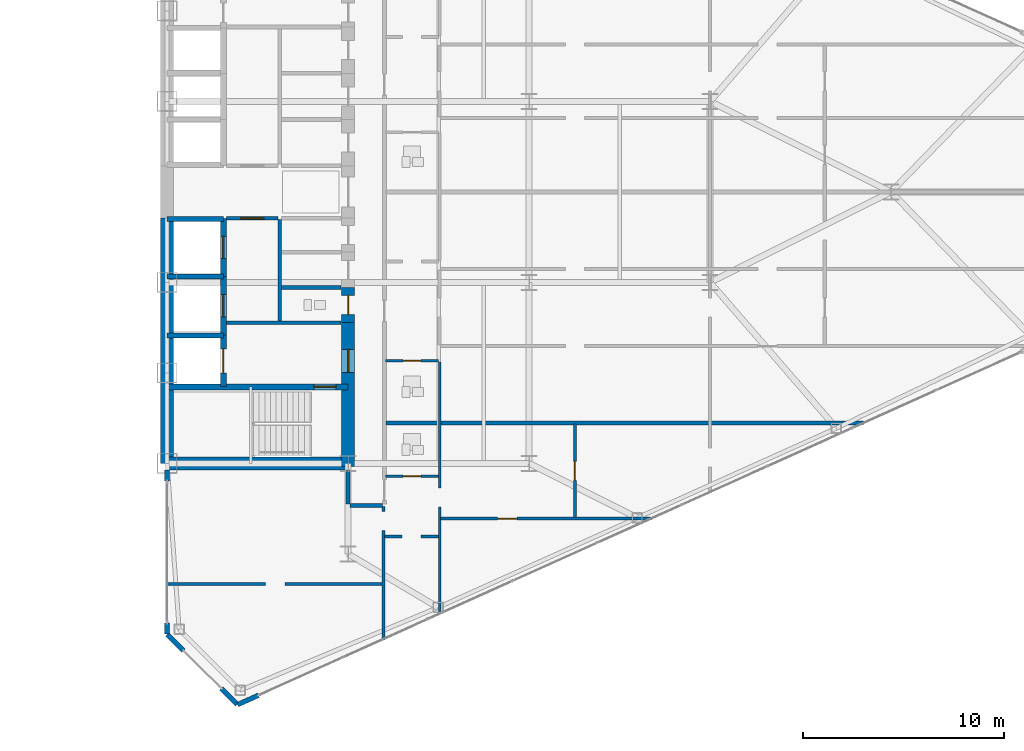
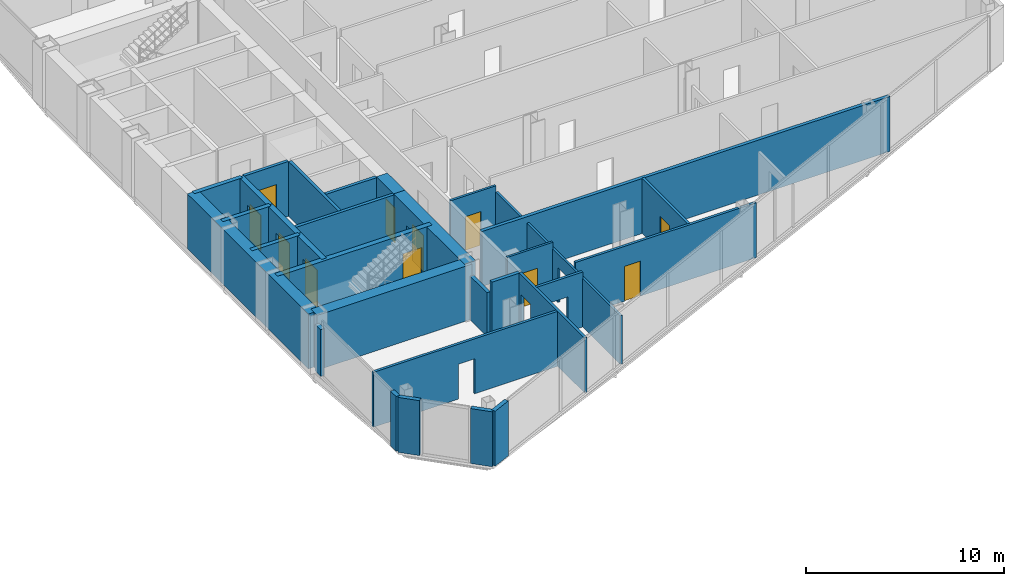
# One storey, part 22 of 27: 31 walls, 11 doors, 15 openings.
"""IFC4 building model written with IfcOpenShell, lengths in metres."""

from ifc_helpers import new_model, si_unit, direction, frame, frame_2d, origin, place, context, subcontext, project, spatial, rectangle, extrude, source, transform, mapped, material, layer, layer_set, type_object, type_shapes, element, fill, save


model = new_model("IFC4")

# Units and contexts
model_context = context("Model", 3, precision=1e-05, world=origin(), true_north=direction((0.0, 1.0)))
body_context = subcontext(model_context, "Body", "Model", "MODEL_VIEW")
ifc_project = project(units=[si_unit("LENGTHUNIT", "METRE"), si_unit("AREAUNIT", "SQUARE_METRE"), si_unit("VOLUMEUNIT", "CUBIC_METRE"), si_unit("PLANEANGLEUNIT", "RADIAN"), si_unit("MASSUNIT", "GRAM", prefix="KILO")], contexts=[model_context])

# Site, building, storey
site_placement = place(None, origin())
site = spatial("IfcSite", under=ifc_project, at=site_placement, CompositionType="ELEMENT")
building_placement = place(site_placement, origin())
building = spatial("IfcBuilding", under=site, at=building_placement, Name="Seokmaru Belvedere", CompositionType="ELEMENT")
storey_placement = place(building_placement, frame((0.0, 0.0, 80.10009765625)))
storey = spatial("IfcBuildingStorey", under=building, at=storey_placement, Name="L21", CompositionType="ELEMENT", Elevation=80.10009765625)

# Wall, opening
ifc_material_1 = material(Name="Fire-Rated Gypsum Shaftwall")
ifc_layer_1 = layer(ifc_material_1, 0.14990234375)
ifc_layer_set_1 = layer_set([ifc_layer_1], Name="Fire-Rated Gypsum Shaftwall")
wall_type_1 = type_object("IfcWallType", Name="Apartment Fire-Acoustic Room Partition 150", PredefinedType="PARTITIONING", material=ifc_layer_set_1)
wall_1_placement = place(storey_placement, frame((27.465087890625, -19.5, 0.0), z_axis=(0.0, 0.0, 1.0), x_axis=(1.0, 0.0, 0.0)))
wall_1 = element("IfcWall", 1, at=wall_1_placement, inside=storey, type_object=wall_type_1, Name="L21 Interior Partition 001", PredefinedType="PARTITIONING", context=body_context, shape_type="SweptSolid", body=[
    extrude(rectangle(XDim=10.73486328125, YDim=0.14990234375, at=frame_2d((5.367431640625, 0.0))), origin(), (0.0, 0.0, 1.0), 3.3798828125),
])
opening_1_placement = place(wall_1_placement, frame((4.93505859375, 0.0, 0.0)))
element("IfcOpeningElement", 2, at=opening_1_placement, cuts=wall_1, Name="L21 Cased Opening 033", PredefinedType="OPENING", context=body_context, shape_type="SweptSolid", body=[
    extrude(rectangle(XDim=0.949951171875, YDim=2.14990234375, at=frame_2d((0.47509765625, 1.074951171875))), frame((0.0, 0.0849609375, 0.0), z_axis=(0.0, -1.0, 0.0), x_axis=(1.0, 0.0, 0.0)), (0.0, 0.0, 1.0), 0.169921875),
])

wall_2_placement = place(storey_placement, frame((38.300048828125, -17.139892578125, 0.0), z_axis=(0.0, 0.0, 1.0), x_axis=(1.0, 0.0, 0.0)))
wall_2 = element("IfcWall", 3, at=wall_2_placement, inside=storey, type_object=wall_type_1, Name="L21 Interior Partition 002", PredefinedType="PARTITIONING", context=body_context, shape_type="SweptSolid", body=[
    extrude(rectangle(XDim=2.699951171875, YDim=0.14990234375, at=frame_2d((1.35009765625, 0.0))), origin(), (0.0, 0.0, 1.0), 3.3798828125),
])
opening_2_placement = place(wall_2_placement, frame((0.875, 0.0, 0.0)))
element("IfcOpeningElement", 4, at=opening_2_placement, cuts=wall_2, Name="L21 Cased Opening 028", PredefinedType="OPENING", context=body_context, shape_type="SweptSolid", body=[
    extrude(rectangle(XDim=0.949951171875, YDim=2.14990234375, at=frame_2d((0.47509765625, 1.074951171875))), frame((0.0, 0.0849609375, 0.0), z_axis=(0.0, -1.0, 0.0), x_axis=(1.0, 0.0, 0.0)), (0.0, 0.0, 1.0), 0.169921875),
])

# Wall, opening, door
wall_3_placement = place(storey_placement, frame((41.10009765625, -16.239990234375, 0.0), z_axis=(0.0, 0.0, 1.0), x_axis=(1.0, 0.0, 0.0)))
wall_3 = element("IfcWall", 5, at=wall_3_placement, inside=storey, type_object=wall_type_1, Name="L21 Interior Partition 003", PredefinedType="PARTITIONING", context=body_context, shape_type="SweptSolid", body=[
    extrude(rectangle(XDim=10.514892578125, YDim=0.14990234375, at=frame_2d((5.25732421875, 0.0))), origin(), (0.0, 0.0, 1.0), 3.3798828125),
])
opening_3_placement = place(wall_3_placement, frame((2.83740234375, 0.0, 0.0)))
opening_3 = element("IfcOpeningElement", 6, at=opening_3_placement, cuts=wall_3, Name="Opening D05", PredefinedType="OPENING", context=body_context, shape_type="SweptSolid", body=[
    extrude(rectangle(XDim=0.949951171875, YDim=2.14990234375, at=frame_2d((0.47509765625, 1.074951171875))), frame((0.0, 0.0849609375, 0.0), z_axis=(0.0, -1.0, 0.0), x_axis=(1.0, 0.0, 0.0)), (0.0, 0.0, 1.0), 0.169921875),
])
ifc_material_2 = material(Name="Engineered White Oak Timber", Category="wood")
door_type_1 = type_object("IfcDoorType", Name="Apartment Interior Fire-Rated Oak Door 950x2150", OperationType="NOTDEFINED", PredefinedType="DOOR", material=ifc_material_2)
shared_shape_1 = source(origin(), body_context, "Body", "SweptSolid", [
    extrude(rectangle(XDim=0.949951171875, YDim=2.14990234375, at=frame_2d((0.47509765625, 1.074951171875))), frame((0.0, 0.02490234375, 0.0), z_axis=(0.0, -1.0, 0.0), x_axis=(1.0, 0.0, 0.0)), (0.0, 0.0, 1.0), 0.050048828125),
])
type_shapes(door_type_1, [shared_shape_1])
door_1_placement = place(opening_3_placement, origin())
door_1 = element("IfcDoor", 7, at=door_1_placement, inside=storey, type_object=door_type_1, Name="L21 Interior Door 031", OperationType="SINGLE_SWING_RIGHT", OverallHeight=2.14990234375, OverallWidth=0.949951171875, PredefinedType="DOOR", context=body_context, shape_type="MappedRepresentation", body=[
    mapped(shared_shape_1, transform((0.0, 0.0, 0.0), scale=1.0)),
])
fill(opening_3, door_1)

# Wall, opening
wall_4_placement = place(storey_placement, frame((38.25, -22.27294921875, 0.0), z_axis=(0.0, 0.0, 1.0), x_axis=(0.0, 1.0, 0.0)))
wall_4 = element("IfcWall", 8, at=wall_4_placement, inside=storey, type_object=wall_type_1, Name="L21 Interior Partition 047", PredefinedType="PARTITIONING", context=body_context, shape_type="SweptSolid", body=[
    extrude(rectangle(XDim=6.623046875, YDim=0.14990234375, at=frame_2d((3.3115234375, 0.0))), origin(), (0.0, 0.0, 1.0), 3.3798828125),
])
opening_4_placement = place(wall_4_placement, frame((5.425537109375, 0.0, 0.0)))
element("IfcOpeningElement", 9, at=opening_4_placement, cuts=wall_4, Name="L21 Cased Opening 030", PredefinedType="OPENING", context=body_context, shape_type="SweptSolid", body=[
    extrude(rectangle(XDim=0.949951171875, YDim=2.14990234375, at=frame_2d((0.47509765625, 1.074951171875))), frame((0.0, 0.0849609375, 0.0), z_axis=(0.0, -1.0, 0.0), x_axis=(1.0, 0.0, 0.0)), (0.0, 0.0, 1.0), 0.169921875),
])

# Wall, opening, door
wall_5_placement = place(storey_placement, frame((47.77001953125, -16.18896484375, 0.0), z_axis=(0.0, 0.0, 1.0), x_axis=(0.0, 1.0, 0.0)))
wall_5 = element("IfcWall", 10, at=wall_5_placement, inside=storey, type_object=wall_type_1, Name="L21 Interior Partition 056", PredefinedType="PARTITIONING", context=body_context, shape_type="SweptSolid", body=[
    extrude(rectangle(XDim=4.638916015625, YDim=0.14990234375, at=frame_2d((2.3193359375, 0.0))), origin(), (0.0, 0.0, 1.0), 3.3798828125),
])
opening_5_placement = place(wall_5_placement, frame((1.844482421875, 0.0, 0.0)))
opening_5 = element("IfcOpeningElement", 11, at=opening_5_placement, cuts=wall_5, Name="Opening D05", PredefinedType="OPENING", context=body_context, shape_type="SweptSolid", body=[
    extrude(rectangle(XDim=0.949951171875, YDim=2.14990234375, at=frame_2d((0.47509765625, 1.074951171875))), frame((0.0, 0.0849609375, 0.0), z_axis=(0.0, -1.0, 0.0), x_axis=(1.0, 0.0, 0.0)), (0.0, 0.0, 1.0), 0.169921875),
])
door_2_placement = place(opening_5_placement, origin())
door_2 = element("IfcDoor", 12, at=door_2_placement, inside=storey, type_object=door_type_1, Name="L21 Interior Door 032", OperationType="SINGLE_SWING_LEFT", OverallHeight=2.14990234375, OverallWidth=0.949951171875, PredefinedType="DOOR", context=body_context, shape_type="MappedRepresentation", body=[
    mapped(shared_shape_1, transform((0.0, 0.0, 0.0), scale=1.0)),
])
fill(opening_5, door_2)

# Walls
ifc_layer_2 = layer(ifc_material_1, 0.179931640625)
ifc_layer_set_2 = layer_set([ifc_layer_2], Name="Fire-Rated Gypsum Shaftwall")
wall_type_2 = type_object("IfcWallType", Name="Core Service Fire Partition 180", PredefinedType="PARTITIONING", material=ifc_layer_set_2)
wall_6_placement = place(storey_placement, frame((30.449951171875, -6.5, 0.0), z_axis=(0.0, 0.0, 1.0), x_axis=(1.0, 0.0, 0.0)))
element("IfcWall", 13, at=wall_6_placement, inside=storey, type_object=wall_type_2, Name="L21 East Firefighting Lobby Partition", PredefinedType="PARTITIONING", context=body_context, shape_type="SweptSolid", body=[
    extrude(rectangle(XDim=5.699951171875, YDim=0.179931640625, at=frame_2d((2.85009765625, 0.0))), origin(), (0.0, 0.0, 1.0), 3.3798828125),
])
wall_7_placement = place(storey_placement, frame((33.10009765625, -6.419921875, 0.0), z_axis=(0.0, 0.0, 1.0), x_axis=(0.0, 1.0, 0.0)))
element("IfcWall", 14, at=wall_7_placement, inside=storey, type_object=wall_type_2, Name="L21 East South Core Service Back Wall", PredefinedType="PARTITIONING", context=body_context, shape_type="SweptSolid", body=[
    extrude(rectangle(XDim=5.0400390625, YDim=0.179931640625, at=frame_2d((2.52001953125, 0.0))), origin(), (0.0, 0.0, 1.0), 3.3798828125),
])

# Wall, opening, door
wall_8_placement = place(storey_placement, frame((30.449951171875, -1.300048828125, 0.0), z_axis=(0.0, 0.0, 1.0), x_axis=(1.0, 0.0, 0.0)))
wall_8 = element("IfcWall", 15, at=wall_8_placement, inside=storey, type_object=wall_type_2, Name="L21 East South Lift Lobby Foyer Wall", PredefinedType="PARTITIONING", context=body_context, shape_type="SweptSolid", body=[
    extrude(rectangle(XDim=2.570068359375, YDim=0.179931640625, at=frame_2d((1.28515625, 0.0))), origin(), (0.0, 0.0, 1.0), 3.3798828125),
])
opening_6_placement = place(wall_8_placement, frame((0.7099609375, 0.0, 0.0)))
opening_6 = element("IfcOpeningElement", 16, at=opening_6_placement, cuts=wall_8, Name="Opening D02", PredefinedType="OPENING", context=body_context, shape_type="SweptSolid", body=[
    extrude(rectangle(XDim=1.14990234375, YDim=2.199951171875, at=frame_2d((0.574951171875, 1.10009765625))), frame((0.0, 0.10009765625, 0.0), z_axis=(0.0, -1.0, 0.0), x_axis=(1.0, 0.0, 0.0)), (0.0, 0.0, 1.0), 0.199951171875),
])
ifc_material_3 = material(Name="Fire-Rated Steel Leaf", Category="steel")
door_type_2 = type_object("IfcDoorType", Name="Lobby and Vestibule Fire Door 1150x2200", OperationType="NOTDEFINED", PredefinedType="DOOR", material=ifc_material_3)
shared_shape_2 = source(origin(), body_context, "Body", "SweptSolid", [
    extrude(rectangle(XDim=1.14990234375, YDim=2.199951171875, at=frame_2d((0.574951171875, 1.10009765625))), frame((0.0, 0.02490234375, 0.0), z_axis=(0.0, -1.0, 0.0), x_axis=(1.0, 0.0, 0.0)), (0.0, 0.0, 1.0), 0.050048828125),
])
type_shapes(door_type_2, [shared_shape_2])
door_3_placement = place(opening_6_placement, origin())
door_3 = element("IfcDoor", 17, at=door_3_placement, inside=storey, type_object=door_type_2, Name="L21 East South Core Foyer Door", OperationType="SINGLE_SWING_RIGHT", OverallHeight=2.199951171875, OverallWidth=1.14990234375, PredefinedType="DOOR", context=body_context, shape_type="MappedRepresentation", body=[
    mapped(shared_shape_2, transform((0.0, 0.0, 0.0), scale=1.0)),
])
fill(opening_6, door_3)

# Walls
wall_9_placement = place(storey_placement, frame((33.199951171875, -4.75, 0.0), z_axis=(0.0, 0.0, 1.0), x_axis=(1.0, 0.0, 0.0)))
element("IfcWall", 18, at=wall_9_placement, inside=storey, type_object=wall_type_2, Name="L21 East Core Service Partition 1", PredefinedType="PARTITIONING", context=body_context, shape_type="SweptSolid", body=[
    extrude(rectangle(XDim=2.949951171875, YDim=0.179931640625, at=frame_2d((1.47509765625, 0.0))), origin(), (0.0, 0.0, 1.0), 3.3798828125),
])
ifc_material_4 = material(Name="Concrete C50 (50 MPa)", Category="concrete")
ifc_layer_3 = layer(ifc_material_4, 0.25)
ifc_layer_set_3 = layer_set([ifc_layer_3], Name="Concrete C50 (50 MPa)")
wall_type_3 = type_object("IfcWallType", Name="Hoistway Transverse Concrete Divider Wall 250", PredefinedType="SHEAR", material=ifc_layer_set_3)
for number, where, z_axis, x_axis, name in (
    (19, (27.5, -7.14990234375, 0.0), (0.0, 0.0, 1.0), (1.0, 0.0, 0.0), "L21 East Hoistway Divider Core Wall 1"),
    (20, (27.5, -4.199951171875, 0.0), (0.0, 0.0, 1.0), (1.0, 0.0, 0.0), "L21 East Hoistway Divider Core Wall 2"),
    (21, (27.5, -1.35009765625, 0.0), (0.0, 0.0, 1.0), (1.0, 0.0, 0.0), "L21 East Hoistway Divider Core Wall 3"),
):
    element("IfcWall", number, at=place(storey_placement, frame(where, z_axis=z_axis, x_axis=x_axis)), inside=storey, type_object=wall_type_3, Name=name, PredefinedType="SHEAR", context=body_context, shape_type="SweptSolid", body=[
        extrude(rectangle(XDim=2.800048828125, YDim=0.25, at=frame_2d((1.39990234375, 0.0))), origin(), (0.0, 0.0, 1.0), 3.3798828125),
    ])
ifc_layer_4 = layer(ifc_material_1, 0.199951171875)
ifc_layer_set_4 = layer_set([ifc_layer_4], Name="Fire-Rated Gypsum Shaftwall")
wall_type_4 = type_object("IfcWallType", Name="Inter-Tenancy Fire Compartment Partition 200", PredefinedType="PARTITIONING", material=ifc_layer_set_4)
wall_10_placement = place(storey_placement, frame((36.5849609375, -15.60009765625, 0.0), z_axis=(0.0, 0.0, 1.0), x_axis=(1.0, 0.0, 0.0)))
element("IfcWall", 22, at=wall_10_placement, inside=storey, type_object=wall_type_4, Name="L21 Interior Partition 005", PredefinedType="PARTITIONING", context=body_context, shape_type="SweptSolid", body=[
    extrude(rectangle(XDim=1.630126953125, YDim=0.199951171875, at=frame_2d((0.81494140625, 0.0))), origin(), (0.0, 0.0, 1.0), 3.3798828125),
])
wall_11_placement = place(storey_placement, frame((38.3798828125, -11.5, 0.0), z_axis=(0.0, 0.0, 1.0), x_axis=(1.0, 0.0, 0.0)))
element("IfcWall", 23, at=wall_11_placement, inside=storey, type_object=wall_type_4, Name="L21 Interior Partition 007", PredefinedType="PARTITIONING", context=body_context, shape_type="SweptSolid", body=[
    extrude(rectangle(XDim=23.7431640625, YDim=0.199951171875, at=frame_2d((11.87158203125, 0.0))), origin(), (0.0, 0.0, 1.0), 3.3798828125),
])
wall_12_placement = place(storey_placement, frame((36.5, -15.514892578125, 0.0), z_axis=(0.0, 0.0, 1.0), x_axis=(0.0, 1.0, 0.0)))
element("IfcWall", 24, at=wall_12_placement, inside=storey, type_object=wall_type_4, Name="L21 Interior Partition 045", PredefinedType="PARTITIONING", context=body_context, shape_type="SweptSolid", body=[
    extrude(rectangle(XDim=1.684814453125, YDim=0.199951171875, at=frame_2d((0.84228515625, 0.0))), origin(), (0.0, 0.0, 1.0), 2.679931640625),
])

# Wall, opening, door
ifc_layer_5 = layer(ifc_material_4, 0.300048828125)
ifc_layer_set_5 = layer_set([ifc_layer_5], Name="Concrete C50 (50 MPa)")
wall_type_5 = type_object("IfcWallType", Name="Internal Core Stair and Hoistway Wall 300", PredefinedType="SHEAR", material=ifc_layer_set_5)
wall_13_placement = place(storey_placement, frame((27.5, -9.699951171875, 0.0), z_axis=(0.0, 0.0, 1.0), x_axis=(1.0, 0.0, 0.0)))
wall_13 = element("IfcWall", 25, at=wall_13_placement, inside=storey, type_object=wall_type_5, Name="L21 East Stair ST-1 Enclosure Wall", PredefinedType="SHEAR", context=body_context, shape_type="SweptSolid", body=[
    extrude(rectangle(XDim=9.0, YDim=0.300048828125, at=frame_2d((4.5, 0.0))), origin(), (0.0, 0.0, 1.0), 3.3798828125),
])
opening_7_placement = place(wall_13_placement, frame((7.300048828125, 0.0, 0.0)))
opening_7 = element("IfcOpeningElement", 26, at=opening_7_placement, cuts=wall_13, Name="Opening D01", PredefinedType="OPENING", context=body_context, shape_type="SweptSolid", body=[
    extrude(rectangle(XDim=1.10009765625, YDim=2.199951171875, at=frame_2d((0.550048828125, 1.10009765625))), frame((0.0, 0.16015625, 0.0), z_axis=(0.0, -1.0, 0.0), x_axis=(1.0, 0.0, 0.0)), (0.0, 0.0, 1.0), 0.320068359375),
])
door_type_3 = type_object("IfcDoorType", Name="Special Escape Stair Smokeproof Fire Door 1100x2200", OperationType="NOTDEFINED", PredefinedType="DOOR", material=ifc_material_3)
shared_shape_3 = source(origin(), body_context, "Body", "SweptSolid", [
    extrude(rectangle(XDim=1.10009765625, YDim=2.199951171875, at=frame_2d((0.550048828125, 1.10009765625))), frame((0.0, 0.02490234375, 0.0), z_axis=(0.0, -1.0, 0.0), x_axis=(1.0, 0.0, 0.0)), (0.0, 0.0, 1.0), 0.050048828125),
])
type_shapes(door_type_3, [shared_shape_3])
door_4_placement = place(opening_7_placement, frame((1.10009765625, 0.0, 0.0), z_axis=(0.0, 0.0, 1.0), x_axis=(-1.0, 0.0, 0.0)))
door_4 = element("IfcDoor", 27, at=door_4_placement, inside=storey, type_object=door_type_3, Name="L21 East Special Escape Stair ST-1 Door", OperationType="SINGLE_SWING_RIGHT", OverallHeight=2.199951171875, OverallWidth=1.10009765625, PredefinedType="DOOR", context=body_context, shape_type="MappedRepresentation", body=[
    mapped(shared_shape_3, transform((0.0, 0.0, 0.0), scale=1.0)),
])
fill(opening_7, door_4)

wall_14_placement = place(storey_placement, frame((30.300048828125, -9.679931640625, 0.0), z_axis=(0.0, 0.0, 1.0), x_axis=(0.0, 1.0, 0.0)))
wall_14 = element("IfcWall", 28, at=wall_14_placement, inside=storey, type_object=wall_type_5, Name="L21 East Firefighting Lift Shaft Front Wall", PredefinedType="SHEAR", context=body_context, shape_type="SweptSolid", body=[
    extrude(rectangle(XDim=2.559814453125, YDim=0.300048828125, at=frame_2d((1.27978515625, 0.0))), origin(), (0.0, 0.0, 1.0), 3.3798828125),
])
opening_8_placement = place(wall_14_placement, frame((0.679931640625, 0.0, 0.0)))
opening_8 = element("IfcOpeningElement", 29, at=opening_8_placement, cuts=wall_14, Name="Opening LD2", PredefinedType="OPENING", context=body_context, shape_type="SweptSolid", body=[
    extrude(rectangle(XDim=1.199951171875, YDim=2.25, at=frame_2d((0.60009765625, 1.125))), frame((0.0, 0.16015625, 0.0), z_axis=(0.0, -1.0, 0.0), x_axis=(1.0, 0.0, 0.0)), (0.0, 0.0, 1.0), 0.320068359375),
])
ifc_material_5 = material(Name="Stainless Steel 316", Category="steel")
door_type_4 = type_object("IfcDoorType", Name="Firefighting Lift Sliding Landing Door 1200x2250", OperationType="DOUBLE_DOOR_SLIDING", PredefinedType="DOOR", material=ifc_material_5)
shared_shape_4 = source(origin(), body_context, "Body", "SweptSolid", [
    extrude(rectangle(XDim=1.199951171875, YDim=2.25, at=frame_2d((0.60009765625, 1.125))), frame((0.0, 0.02490234375, 0.0), z_axis=(0.0, -1.0, 0.0), x_axis=(1.0, 0.0, 0.0)), (0.0, 0.0, 1.0), 0.050048828125),
])
type_shapes(door_type_4, [shared_shape_4])
door_5_placement = place(opening_8_placement, origin())
door_5 = element("IfcDoor", 30, at=door_5_placement, inside=storey, type_object=door_type_4, Name="L21 East Firefighting Lift Landing Door", OperationType="DOUBLE_DOOR_SLIDING", OverallHeight=2.25, OverallWidth=1.199951171875, PredefinedType="DOOR", context=body_context, shape_type="MappedRepresentation", body=[
    mapped(shared_shape_4, transform((0.0, 0.0, 0.0), scale=1.0)),
])
fill(opening_8, door_5)

wall_15_placement = place(storey_placement, frame((30.300048828125, -7.1201171875, 0.0), z_axis=(0.0, 0.0, 1.0), x_axis=(0.0, 1.0, 0.0)))
wall_15 = element("IfcWall", 31, at=wall_15_placement, inside=storey, type_object=wall_type_5, Name="L21 East Low-Rise Lift PL-1 Front Wall", PredefinedType="SHEAR", context=body_context, shape_type="SweptSolid", body=[
    extrude(rectangle(XDim=2.920166015625, YDim=0.300048828125, at=frame_2d((1.4599609375, 0.0))), origin(), (0.0, 0.0, 1.0), 3.3798828125),
])
opening_9_placement = place(wall_15_placement, frame((0.909912109375, 0.0, 0.0)))
opening_9 = element("IfcOpeningElement", 32, at=opening_9_placement, cuts=wall_15, Name="Opening LD1", PredefinedType="OPENING", context=body_context, shape_type="SweptSolid", body=[
    extrude(rectangle(XDim=1.10009765625, YDim=2.199951171875, at=frame_2d((0.550048828125, 1.10009765625))), frame((0.0, 0.16015625, 0.0), z_axis=(0.0, -1.0, 0.0), x_axis=(1.0, 0.0, 0.0)), (0.0, 0.0, 1.0), 0.320068359375),
])
door_type_5 = type_object("IfcDoorType", Name="Passenger Lift Sliding Landing Door 1100x2200", OperationType="DOUBLE_DOOR_SLIDING", PredefinedType="DOOR", material=ifc_material_5)
shared_shape_5 = source(origin(), body_context, "Body", "SweptSolid", [
    extrude(rectangle(XDim=1.10009765625, YDim=2.199951171875, at=frame_2d((0.550048828125, 1.10009765625))), frame((0.0, 0.02490234375, 0.0), z_axis=(0.0, -1.0, 0.0), x_axis=(1.0, 0.0, 0.0)), (0.0, 0.0, 1.0), 0.050048828125),
])
type_shapes(door_type_5, [shared_shape_5])
door_6_placement = place(opening_9_placement, origin())
door_6 = element("IfcDoor", 33, at=door_6_placement, inside=storey, type_object=door_type_5, Name="L21 East Low-Rise Lift PL-1 Landing Door", OperationType="DOUBLE_DOOR_SLIDING", OverallHeight=2.199951171875, OverallWidth=1.10009765625, PredefinedType="DOOR", context=body_context, shape_type="MappedRepresentation", body=[
    mapped(shared_shape_5, transform((0.0, 0.0, 0.0), scale=1.0)),
])
fill(opening_9, door_6)

wall_16_placement = place(storey_placement, frame((30.300048828125, -4.199951171875, 0.0), z_axis=(0.0, 0.0, 1.0), x_axis=(0.0, 1.0, 0.0)))
wall_16 = element("IfcWall", 34, at=wall_16_placement, inside=storey, type_object=wall_type_5, Name="L21 East Low-Rise Lift PL-2 Front Wall", PredefinedType="SHEAR", context=body_context, shape_type="SweptSolid", body=[
    extrude(rectangle(XDim=2.8798828125, YDim=0.300048828125, at=frame_2d((1.43994140625, 0.0))), origin(), (0.0, 0.0, 1.0), 3.3798828125),
])
opening_10_placement = place(wall_16_placement, frame((0.889892578125, 0.0, 0.0)))
opening_10 = element("IfcOpeningElement", 35, at=opening_10_placement, cuts=wall_16, Name="Opening LD1", PredefinedType="OPENING", context=body_context, shape_type="SweptSolid", body=[
    extrude(rectangle(XDim=1.10009765625, YDim=2.199951171875, at=frame_2d((0.550048828125, 1.10009765625))), frame((0.0, 0.16015625, 0.0), z_axis=(0.0, -1.0, 0.0), x_axis=(1.0, 0.0, 0.0)), (0.0, 0.0, 1.0), 0.320068359375),
])
door_7_placement = place(opening_10_placement, origin())
door_7 = element("IfcDoor", 36, at=door_7_placement, inside=storey, type_object=door_type_5, Name="L21 East Low-Rise Lift PL-2 Landing Door", OperationType="DOUBLE_DOOR_SLIDING", OverallHeight=2.199951171875, OverallWidth=1.10009765625, PredefinedType="DOOR", context=body_context, shape_type="MappedRepresentation", body=[
    mapped(shared_shape_5, transform((0.0, 0.0, 0.0), scale=1.0)),
])
fill(opening_10, door_7)

# Walls
ifc_material_6 = material(Name="Concrete C60 (60 MPa)", Category="concrete")
ifc_layer_6 = layer(ifc_material_6, 0.64990234375)
ifc_layer_set_6 = layer_set([ifc_layer_6], Name="Concrete C60 (60 MPa)")
wall_type_6 = type_object("IfcWallType", Name="Mid-Low Reinforced Concrete Core Wall 650", PredefinedType="SHEAR", material=ifc_layer_set_6)
wall_17_placement = place(storey_placement, frame((27.5, -13.5, 0.0), z_axis=(0.0, 0.0, 1.0), x_axis=(0.0, 1.0, 0.0)))
element("IfcWall", 37, at=wall_17_placement, inside=storey, type_object=wall_type_6, Name="L21 East Portal Spine Core Wall South", PredefinedType="SHEAR", context=body_context, shape_type="SweptSolid", body=[
    extrude(rectangle(XDim=12.199951171875, YDim=0.64990234375, at=frame_2d((6.10009765625, 0.0))), origin(), (0.0, 0.0, 1.0), 3.3798828125),
])
wall_18_placement = place(storey_placement, frame((27.5, -13.5, 0.0), z_axis=(0.0, 0.0, 1.0), x_axis=(1.0, 0.0, 0.0)))
element("IfcWall", 38, at=wall_18_placement, inside=storey, type_object=wall_type_6, Name="L21 East South Core Wall", PredefinedType="SHEAR", context=body_context, shape_type="SweptSolid", body=[
    extrude(rectangle(XDim=9.0, YDim=0.64990234375, at=frame_2d((4.5, 0.0))), origin(), (0.0, 0.0, 1.0), 3.3798828125),
])

# Wall, opening, door
wall_19_placement = place(storey_placement, frame((36.5, -13.64990234375, 0.0), z_axis=(0.0, 0.0, 1.0), x_axis=(0.0, 1.0, 0.0)))
wall_19 = element("IfcWall", 39, at=wall_19_placement, inside=storey, type_object=wall_type_6, Name="L21 East West Core Wall FF", PredefinedType="SHEAR", context=body_context, shape_type="SweptSolid", body=[
    extrude(rectangle(XDim=7.14990234375, YDim=0.64990234375, at=frame_2d((3.574951171875, 0.0))), origin(), (0.0, 0.0, 1.0), 3.3798828125),
])
opening_11_placement = place(wall_19_placement, frame((4.675048828125, 0.0, 0.0)))
opening_11 = element("IfcOpeningElement", 40, at=opening_11_placement, cuts=wall_19, Name="Opening D02", PredefinedType="OPENING", context=body_context, shape_type="SweptSolid", body=[
    extrude(rectangle(XDim=1.14990234375, YDim=2.199951171875, at=frame_2d((0.574951171875, 1.10009765625))), frame((0.0, 0.3349609375, 0.0), z_axis=(0.0, -1.0, 0.0), x_axis=(1.0, 0.0, 0.0)), (0.0, 0.0, 1.0), 0.669921875),
])
door_8_placement = place(opening_11_placement, origin())
door_8 = element("IfcDoor", 41, at=door_8_placement, inside=storey, type_object=door_type_2, Name="L21 East Firefighting Lobby Door", OperationType="SINGLE_SWING_RIGHT", OverallHeight=2.199951171875, OverallWidth=1.14990234375, PredefinedType="DOOR", context=body_context, shape_type="MappedRepresentation", body=[
    mapped(shared_shape_2, transform((0.0, 0.0, 0.0), scale=1.0)),
])
fill(opening_11, door_8)

wall_20_placement = place(storey_placement, frame((36.5, -6.5, 0.0), z_axis=(0.0, 0.0, 1.0), x_axis=(0.0, 1.0, 0.0)))
wall_20 = element("IfcWall", 42, at=wall_20_placement, inside=storey, type_object=wall_type_6, Name="L21 East West Core Wall CS1", PredefinedType="SHEAR", context=body_context, shape_type="SweptSolid", body=[
    extrude(rectangle(XDim=1.75, YDim=0.64990234375, at=frame_2d((0.875, 0.0))), origin(), (0.0, 0.0, 1.0), 3.3798828125),
])
opening_12_placement = place(wall_20_placement, frame((0.39990234375, 0.0, 0.0)))
opening_12 = element("IfcOpeningElement", 43, at=opening_12_placement, cuts=wall_20, Name="Opening D04", PredefinedType="OPENING", context=body_context, shape_type="SweptSolid", body=[
    extrude(rectangle(XDim=0.949951171875, YDim=2.14990234375, at=frame_2d((0.47509765625, 1.074951171875))), frame((0.0, 0.3349609375, 0.0), z_axis=(0.0, -1.0, 0.0), x_axis=(1.0, 0.0, 0.0)), (0.0, 0.0, 1.0), 0.669921875),
])
door_type_6 = type_object("IfcDoorType", Name="Core Service Room Fire Door 950x2150", OperationType="NOTDEFINED", PredefinedType="DOOR", material=ifc_material_3)
shared_shape_6 = source(origin(), body_context, "Body", "SweptSolid", [
    extrude(rectangle(XDim=0.949951171875, YDim=2.14990234375, at=frame_2d((0.47509765625, 1.074951171875))), frame((0.0, 0.02490234375, 0.0), z_axis=(0.0, -1.0, 0.0), x_axis=(1.0, 0.0, 0.0)), (0.0, 0.0, 1.0), 0.050048828125),
])
type_shapes(door_type_6, [shared_shape_6])
door_9_placement = place(opening_12_placement, origin())
door_9 = element("IfcDoor", 44, at=door_9_placement, inside=storey, type_object=door_type_6, Name="L21 East Core Service Room Door 1", OperationType="SINGLE_SWING_RIGHT", OverallHeight=2.14990234375, OverallWidth=0.949951171875, PredefinedType="DOOR", context=body_context, shape_type="MappedRepresentation", body=[
    mapped(shared_shape_6, transform((0.0, 0.0, 0.0), scale=1.0)),
])
fill(opening_12, door_9)

ifc_layer_7 = layer(ifc_material_1, 0.1298828125)
ifc_layer_set_7 = layer_set([ifc_layer_7], Name="Fire-Rated Gypsum Shaftwall")
wall_type_7 = type_object("IfcWallType", Name="Moisture-Resistant Fire-Rated Bathroom Partition 130", PredefinedType="PARTITIONING", material=ifc_layer_set_7)
wall_21_placement = place(storey_placement, frame((38.35009765625, -14.139892578125, 0.0), z_axis=(0.0, 0.0, 1.0), x_axis=(1.0, 0.0, 0.0)))
wall_21 = element("IfcWall", 45, at=wall_21_placement, inside=storey, type_object=wall_type_7, Name="L21 Interior Partition 006", PredefinedType="PARTITIONING", context=body_context, shape_type="SweptSolid", body=[
    extrude(rectangle(XDim=2.64990234375, YDim=0.1298828125, at=frame_2d((1.324951171875, 0.0))), origin(), (0.0, 0.0, 1.0), 3.3798828125),
])
opening_13_placement = place(wall_21_placement, frame((0.885009765625, 0.0, 0.0)))
opening_13 = element("IfcOpeningElement", 46, at=opening_13_placement, cuts=wall_21, Name="Opening D06", PredefinedType="OPENING", context=body_context, shape_type="SweptSolid", body=[
    extrude(rectangle(XDim=0.8798828125, YDim=2.10009765625, at=frame_2d((0.43994140625, 1.050048828125))), frame((0.0, 0.074951171875, 0.0), z_axis=(0.0, -1.0, 0.0), x_axis=(1.0, 0.0, 0.0)), (0.0, 0.0, 1.0), 0.14990234375),
])
door_type_7 = type_object("IfcDoorType", Name="Bathroom and Restroom Fire-Rated Door 880x2100", OperationType="NOTDEFINED", PredefinedType="DOOR", material=ifc_material_2)
shared_shape_7 = source(origin(), body_context, "Body", "SweptSolid", [
    extrude(rectangle(XDim=0.8798828125, YDim=2.10009765625, at=frame_2d((0.43994140625, 1.050048828125))), frame((0.0, 0.02490234375, 0.0), z_axis=(0.0, -1.0, 0.0), x_axis=(1.0, 0.0, 0.0)), (0.0, 0.0, 1.0), 0.050048828125),
])
type_shapes(door_type_7, [shared_shape_7])
door_10_placement = place(opening_13_placement, origin())
door_10 = element("IfcDoor", 47, at=door_10_placement, inside=storey, type_object=door_type_7, Name="L21 Interior Door 027", OperationType="SINGLE_SWING_RIGHT", OverallHeight=2.10009765625, OverallWidth=0.8798828125, PredefinedType="DOOR", context=body_context, shape_type="MappedRepresentation", body=[
    mapped(shared_shape_7, transform((0.0, 0.0, 0.0), scale=1.0)),
])
fill(opening_13, door_10)

wall_22_placement = place(storey_placement, frame((38.35009765625, -8.39990234375, 0.0), z_axis=(0.0, 0.0, 1.0), x_axis=(1.0, 0.0, 0.0)))
wall_22 = element("IfcWall", 48, at=wall_22_placement, inside=storey, type_object=wall_type_7, Name="L21 Interior Partition 009", PredefinedType="PARTITIONING", context=body_context, shape_type="SweptSolid", body=[
    extrude(rectangle(XDim=2.64990234375, YDim=0.1298828125, at=frame_2d((1.324951171875, 0.0))), origin(), (0.0, 0.0, 1.0), 3.3798828125),
])
opening_14_placement = place(wall_22_placement, frame((0.885009765625, 0.0, 0.0)))
opening_14 = element("IfcOpeningElement", 49, at=opening_14_placement, cuts=wall_22, Name="Opening D06", PredefinedType="OPENING", context=body_context, shape_type="SweptSolid", body=[
    extrude(rectangle(XDim=0.8798828125, YDim=2.10009765625, at=frame_2d((0.43994140625, 1.050048828125))), frame((0.0, 0.074951171875, 0.0), z_axis=(0.0, -1.0, 0.0), x_axis=(1.0, 0.0, 0.0)), (0.0, 0.0, 1.0), 0.14990234375),
])
door_11_placement = place(opening_14_placement, origin())
door_11 = element("IfcDoor", 50, at=door_11_placement, inside=storey, type_object=door_type_7, Name="L21 Interior Door 036", OperationType="SINGLE_SWING_RIGHT", OverallHeight=2.10009765625, OverallWidth=0.8798828125, PredefinedType="DOOR", context=body_context, shape_type="MappedRepresentation", body=[
    mapped(shared_shape_7, transform((0.0, 0.0, 0.0), scale=1.0)),
])
fill(opening_14, door_11)

# Wall, opening
wall_23_placement = place(storey_placement, frame((41.050048828125, -21.011962890625, 0.0), z_axis=(0.0, 0.0, 1.0), x_axis=(0.0, 1.0, 0.0)))
wall_23 = element("IfcWall", 51, at=wall_23_placement, inside=storey, type_object=wall_type_7, Name="L21 Interior Partition 050", PredefinedType="PARTITIONING", context=body_context, shape_type="SweptSolid", body=[
    extrude(rectangle(XDim=12.56494140625, YDim=0.1298828125, at=frame_2d((6.282470703125, 0.0))), origin(), (0.0, 0.0, 1.0), 2.989990234375),
])
opening_15_placement = place(wall_23_placement, frame((5.34521484375, 0.0, 0.0)))
element("IfcOpeningElement", 52, at=opening_15_placement, cuts=wall_23, Name="L21 Cased Opening 029", PredefinedType="OPENING", context=body_context, shape_type="SweptSolid", body=[
    extrude(rectangle(XDim=0.949951171875, YDim=2.14990234375, at=frame_2d((0.47509765625, 1.074951171875))), frame((0.0, 0.074951171875, 0.0), z_axis=(0.0, -1.0, 0.0), x_axis=(1.0, 0.0, 0.0)), (0.0, 0.0, 1.0), 0.14990234375),
])

# Walls
ifc_material_7 = material(Name="Anodised Bronze Aluminium", Category="aluminium")
ifc_layer_8 = layer(ifc_material_7, 0.239990234375)
ifc_layer_set_8 = layer_set([ifc_layer_8], Name="Anodised Bronze Aluminium")
wall_type_8 = type_object("IfcWallType", Name="Tower Corner Spandrel Closure Wall 240", PredefinedType="SOLIDWALL", material=ifc_layer_set_8)
wall_24_placement = place(storey_placement, frame((31.009033203125, -25.495849609375, 0.0), z_axis=(0.0, 0.0, 1.0), x_axis=(0.911929519623, 0.410346866979, 0.0)))
element("IfcWall", 53, at=wall_24_placement, inside=storey, type_object=wall_type_8, Name="L21 E Corner Closure Pier 1A", PredefinedType="SOLIDWALL", context=body_context, shape_type="SweptSolid", body=[
    extrude(rectangle(XDim=1.139892578125, YDim=0.239990234375, at=frame_2d((0.56982421875, 0.0))), origin(), (0.0, 0.0, 1.0), 3.3798828125),
])
wall_25_placement = place(storey_placement, frame((27.5, -21.97998046875, 0.0), z_axis=(0.0, 0.0, 1.0), x_axis=(0.0, 1.0, 0.0)))
element("IfcWall", 54, at=wall_25_placement, inside=storey, type_object=wall_type_8, Name="L21 E Spine Closure Pier 1A", PredefinedType="SOLIDWALL", context=body_context, shape_type="SweptSolid", body=[
    extrude(rectangle(XDim=0.550048828125, YDim=0.239990234375, at=frame_2d((0.27490234375, 0.0))), origin(), (0.0, 0.0, 1.0), 3.3798828125),
])
wall_26_placement = place(storey_placement, frame((27.5, -14.3798828125, 0.0), z_axis=(0.0, 0.0, 1.0), x_axis=(0.0, 1.0, 0.0)))
element("IfcWall", 55, at=wall_26_placement, inside=storey, type_object=wall_type_8, Name="L21 E Spine Closure Pier 1B", PredefinedType="SOLIDWALL", context=body_context, shape_type="SweptSolid", body=[
    extrude(rectangle(XDim=0.5498046875, YDim=0.239990234375, at=frame_2d((0.27490234375, 0.0))), origin(), (0.0, 0.0, 1.0), 2.8798828125),
])
for number, where, z_axis, x_axis, name in (
    (56, (27.507080078125, -22.007080078125, 0.0), (0.0, 0.0, 1.0), (0.707106781187, -0.707106781187, 0.0), "L21 E Corner Closure Pier 6A"),
    (57, (30.186767578125, -24.686767578125, 0.0), (0.0, 0.0, 1.0), (0.707106781187, -0.707106781187, 0.0), "L21 E Corner Closure Pier 6B"),
):
    element("IfcWall", number, at=place(storey_placement, frame(where, z_axis=z_axis, x_axis=x_axis)), inside=storey, type_object=wall_type_8, Name=name, PredefinedType="SOLIDWALL", context=body_context, shape_type="SweptSolid", body=[
        extrude(rectangle(XDim=1.14013671875, YDim=0.239990234375, at=frame_2d((0.570068359375, 0.0))), origin(), (0.0, 0.0, 1.0), 3.3798828125),
    ])

save(model, "model.ifc")
